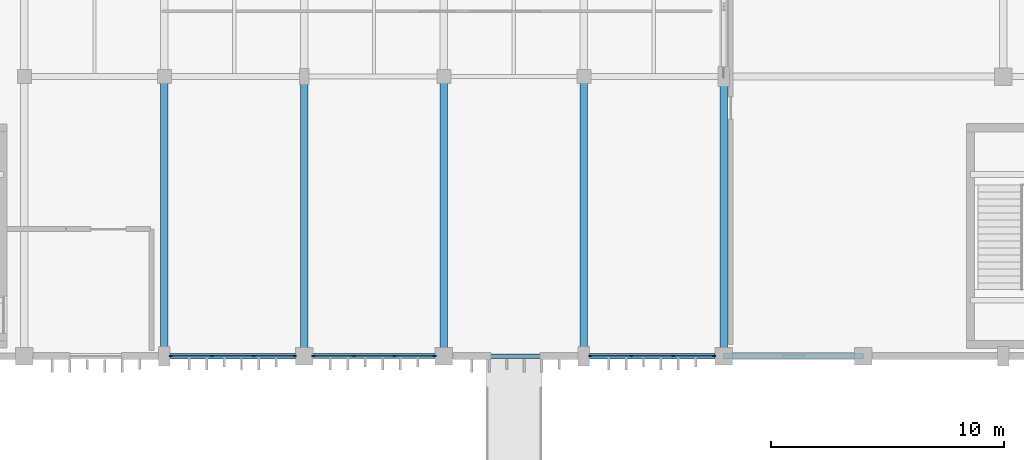
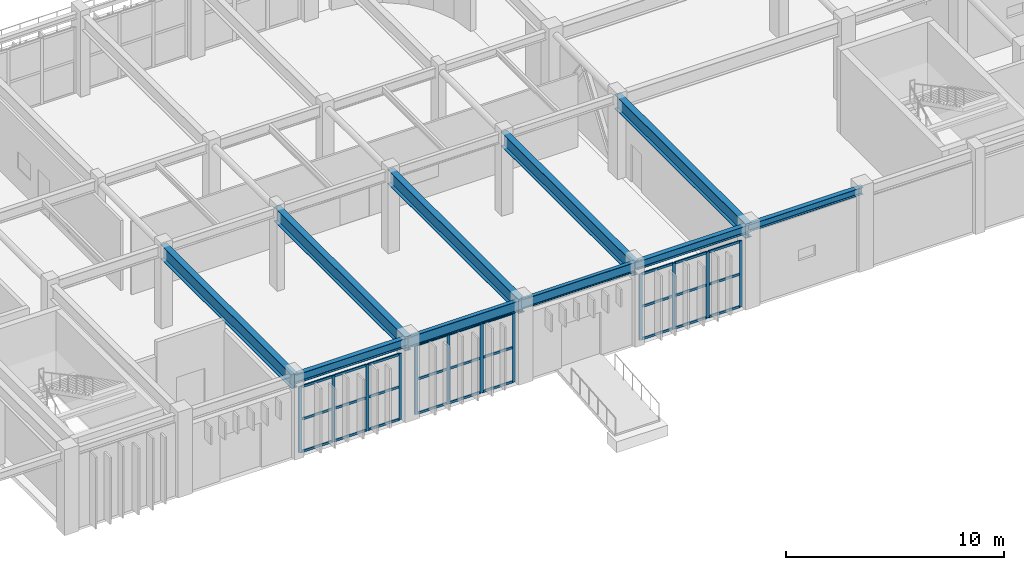
# One storey, part 25 of 76: 39 members, 10 beams, 3 elements without a shape of their own.
"""IFC4 building model written with IfcOpenShell, lengths in metres."""

from ifc_helpers import new_model, si_unit, direction, frame, origin, origin_2d, place, context, subcontext, project, spatial, rectangle, i_section, extrude, material, material_profile, profile_set, type_object, element, aggregate, save


model = new_model("IFC4")

# Units and contexts
model_context = context("Model", 3, precision=1e-05, world=origin(), true_north=direction((0.0, 1.0)))
body_context = subcontext(model_context, "Body", "Model", "MODEL_VIEW")
ifc_project = project(units=[si_unit("LENGTHUNIT", "METRE"), si_unit("AREAUNIT", "SQUARE_METRE"), si_unit("VOLUMEUNIT", "CUBIC_METRE"), si_unit("PLANEANGLEUNIT", "RADIAN"), si_unit("MASSUNIT", "GRAM", prefix="KILO")], contexts=[model_context])

# Site, building, storey
site_placement = place(None, origin())
site = spatial("IfcSite", under=ifc_project, at=site_placement, CompositionType="ELEMENT")
building_placement = place(site_placement, origin())
building = spatial("IfcBuilding", under=site, at=building_placement, Name="Varnakota Square Police Headquarters", CompositionType="ELEMENT")
storey_placement = place(building_placement, origin())
storey = spatial("IfcBuildingStorey", under=building, at=storey_placement, Name="L00", CompositionType="ELEMENT", Elevation=0.0)

# Beams
ifc_material_1 = material(Name="Steel IS 2062 Grade 350", Category="steel")
ifc_material_profile_1 = material_profile(ifc_material_1, i_section(OverallWidth=0.320068359375, OverallDepth=0.800048828125, WebThickness=0.01611328125, FlangeThickness=0.028076171875, at=origin_2d()), Name="BPG 800x320")
ifc_profile_set_1 = profile_set([ifc_material_profile_1], Name="Steel IS 2062 Grade 350")
beam_type_1 = type_object("IfcBeamType", Name="BM-BPG800", PredefinedType="BEAM", material=ifc_profile_set_1)
for number, where, z_axis, x_axis, name in (
    (1, (72.0, 69.0, 4.10009765625), (0.0, 1.0, 0.0), (-1.0, 0.0, 0.0), "BMG-L00-1052"),
    (2, (78.0, 69.0, 4.10009765625), (0.0, 1.0, 0.0), (-1.0, 0.0, 0.0), "BMG-L00-1056"),
    (3, (84.0, 69.0, 4.10009765625), (0.0, 1.0, 0.0), (-1.0, 0.0, 0.0), "BMG-L00-1060"),
    (4, (90.0, 69.0, 4.10009765625), (0.0, 1.0, 0.0), (-1.0, 0.0, 0.0), "BMG-L00-1066"),
    (5, (96.0, 69.0, 4.10009765625), (0.0, 1.0, 0.0), (-1.0, 0.0, 0.0), "BMG-L00-1075"),
):
    element("IfcBeam", number, at=place(storey_placement, frame(where, z_axis=z_axis, x_axis=x_axis)), inside=storey, type_object=beam_type_1, Name=name, PredefinedType="BEAM", context=body_context, shape_type="SweptSolid", body=[
        extrude(i_section(OverallWidth=0.320068359375, OverallDepth=0.800048828125, WebThickness=0.01611328125, FlangeThickness=0.028076171875, at=origin_2d()), origin(), (0.0, 0.0, 1.0), 12.0),
    ])
ifc_material_profile_2 = material_profile(ifc_material_1, i_section(OverallWidth=0.25, OverallDepth=0.39990234375, WebThickness=0.010498046875, FlangeThickness=0.0126953125, FilletRadius=0.013916015625, at=origin_2d()), Name="ISHB 400")
ifc_profile_set_2 = profile_set([ifc_material_profile_2], Name="Steel IS 2062 Grade 350")
beam_type_2 = type_object("IfcBeamType", Name="BM-ISHB400", PredefinedType="BEAM", material=ifc_profile_set_2)
beam_1_placement = place(storey_placement, frame((96.0, 69.0, 4.300048828125), z_axis=(1.0, 0.0, 0.0), x_axis=(0.0, 1.0, 0.0)))
element("IfcBeam", 6, at=beam_1_placement, inside=storey, type_object=beam_type_2, Name="BMG-L00-0829", PredefinedType="BEAM", context=body_context, shape_type="SweptSolid", body=[
    extrude(i_section(OverallWidth=0.25, OverallDepth=0.39990234375, WebThickness=0.010498046875, FlangeThickness=0.0126953125, FilletRadius=0.013916015625, at=origin_2d()), origin(), (0.0, 0.0, 1.0), 6.0),
])
ifc_material_profile_3 = material_profile(ifc_material_1, i_section(OverallWidth=0.25, OverallDepth=0.449951171875, WebThickness=0.01123046875, FlangeThickness=0.013671875, FilletRadius=0.014892578125, at=origin_2d()), Name="ISHB 450")
ifc_profile_set_3 = profile_set([ifc_material_profile_3], Name="Steel IS 2062 Grade 350")
beam_type_3 = type_object("IfcBeamType", Name="BM-ISHB450", PredefinedType="BEAM", material=ifc_profile_set_3)
beam_2_placement = place(storey_placement, frame((90.0, 69.0, 4.27490234375), z_axis=(1.0, 0.0, 0.0), x_axis=(0.0, 1.0, 0.0)))
element("IfcBeam", 7, at=beam_2_placement, inside=storey, type_object=beam_type_3, Name="BMG-L00-0828", PredefinedType="BEAM", context=body_context, shape_type="SweptSolid", body=[
    extrude(i_section(OverallWidth=0.25, OverallDepth=0.449951171875, WebThickness=0.01123046875, FlangeThickness=0.013671875, FilletRadius=0.014892578125, at=origin_2d()), origin(), (0.0, 0.0, 1.0), 6.0),
])
ifc_material_profile_4 = material_profile(ifc_material_1, i_section(OverallWidth=0.18994140625, OverallDepth=0.550048828125, WebThickness=0.01123046875, FlangeThickness=0.019287109375, FilletRadius=0.01806640625, at=origin_2d()), Name="ISMB 550")
ifc_profile_set_4 = profile_set([ifc_material_profile_4], Name="Steel IS 2062 Grade 350")
beam_type_4 = type_object("IfcBeamType", Name="BM-ISMB550", PredefinedType="BEAM", material=ifc_profile_set_4)
beam_3_placement = place(storey_placement, frame((84.0, 69.0, 4.22509765625), z_axis=(1.0, 0.0, 0.0), x_axis=(0.0, 1.0, 0.0)))
element("IfcBeam", 8, at=beam_3_placement, inside=storey, type_object=beam_type_4, Name="BMG-L00-0827", PredefinedType="BEAM", context=body_context, shape_type="SweptSolid", body=[
    extrude(i_section(OverallWidth=0.18994140625, OverallDepth=0.550048828125, WebThickness=0.01123046875, FlangeThickness=0.019287109375, FilletRadius=0.01806640625, at=origin_2d()), origin(), (0.0, 0.0, 1.0), 6.0),
])
ifc_material_profile_5 = material_profile(ifc_material_1, i_section(OverallWidth=0.2099609375, OverallDepth=0.60009765625, WebThickness=0.011962890625, FlangeThickness=0.020751953125, FilletRadius=0.02001953125, at=origin_2d()), Name="ISMB 600")
ifc_profile_set_5 = profile_set([ifc_material_profile_5], Name="Steel IS 2062 Grade 350")
beam_type_5 = type_object("IfcBeamType", Name="BM-ISMB600", PredefinedType="BEAM", material=ifc_profile_set_5)
beam_4_placement = place(storey_placement, frame((78.0, 69.0, 4.199951171875), z_axis=(1.0, 0.0, 0.0), x_axis=(0.0, 1.0, 0.0)))
element("IfcBeam", 9, at=beam_4_placement, inside=storey, type_object=beam_type_5, Name="BMG-L00-0826", PredefinedType="BEAM", context=body_context, shape_type="SweptSolid", body=[
    extrude(i_section(OverallWidth=0.2099609375, OverallDepth=0.60009765625, WebThickness=0.011962890625, FlangeThickness=0.020751953125, FilletRadius=0.02001953125, at=origin_2d()), origin(), (0.0, 0.0, 1.0), 6.0),
])
ifc_material_profile_6 = material_profile(ifc_material_1, i_section(OverallWidth=0.25, OverallDepth=0.5, WebThickness=0.010009765625, FlangeThickness=0.0146484375, FilletRadius=0.014892578125, at=origin_2d()), Name="ISWB 500")
ifc_profile_set_6 = profile_set([ifc_material_profile_6], Name="Steel IS 2062 Grade 350")
beam_type_6 = type_object("IfcBeamType", Name="BM-ISWB500", PredefinedType="BEAM", material=ifc_profile_set_6)
beam_5_placement = place(storey_placement, frame((72.0, 69.0, 4.25), z_axis=(1.0, 0.0, 0.0), x_axis=(0.0, 1.0, 0.0)))
element("IfcBeam", 10, at=beam_5_placement, inside=storey, type_object=beam_type_6, Name="BMG-L00-0825", PredefinedType="BEAM", context=body_context, shape_type="SweptSolid", body=[
    extrude(i_section(OverallWidth=0.25, OverallDepth=0.5, WebThickness=0.010009765625, FlangeThickness=0.0146484375, FilletRadius=0.014892578125, at=origin_2d()), origin(), (0.0, 0.0, 1.0), 6.0),
])

# Curtain wall, members
ifc_material_2 = material(Name="Anodised Aluminium Framing", Category="aluminium")
curtain_wall_type = type_object("IfcCurtainWallType", Name="CW-SYS-B", PredefinedType="NOTDEFINED", material=ifc_material_2)
curtain_wall_1_placement = place(storey_placement, origin())
curtain_wall_1 = element("IfcCurtainWall", 11, at=curtain_wall_1_placement, inside=storey, type_object=curtain_wall_type, Name="Unitised curtain wall CWG-L00-220", PredefinedType="NOTDEFINED")
ifc_material_3 = material(Name="Anodised Aluminium 6063-T6", Category="aluminium")
ifc_material_profile_7 = material_profile(ifc_material_3, rectangle(XDim=0.06494140625, YDim=0.159912109375, at=origin_2d()), Name="ALU MULLION 65x160")
ifc_profile_set_7 = profile_set([ifc_material_profile_7], Name="Anodised Aluminium 6063-T6")
member_type_1 = type_object("IfcMemberType", Name="CWM-150", PredefinedType="MULLION", material=ifc_profile_set_7)
member_1_placement = place(storey_placement, frame((72.28759765625, 69.0, 0.0), z_axis=(0.0, 0.0, 1.0), x_axis=(0.0, 1.0, 0.0)))
member_1 = element("IfcMember", 12, at=member_1_placement, type_object=member_type_1, Name="CWG-L00-220 mullion 1", PredefinedType="MULLION", context=body_context, shape_type="SweptSolid", body=[
    extrude(rectangle(XDim=0.06494140625, YDim=0.159912109375, at=origin_2d()), origin(), (0.0, 0.0, 1.0), 3.68994140625),
])
member_2_placement = place(storey_placement, frame((74.043212890625, 69.0, 0.0), z_axis=(0.0, 0.0, 1.0), x_axis=(0.0, 1.0, 0.0)))
member_2 = element("IfcMember", 13, at=member_2_placement, type_object=member_type_1, Name="CWG-L00-220 mullion 2", PredefinedType="MULLION", context=body_context, shape_type="SweptSolid", body=[
    extrude(rectangle(XDim=0.06494140625, YDim=0.159912109375, at=origin_2d()), origin(), (0.0, 0.0, 1.0), 3.68994140625),
])
member_3_placement = place(storey_placement, frame((75.831787109375, 69.0, 0.0), z_axis=(0.0, 0.0, 1.0), x_axis=(0.0, 1.0, 0.0)))
member_3 = element("IfcMember", 14, at=member_3_placement, type_object=member_type_1, Name="CWG-L00-220 mullion 3", PredefinedType="MULLION", context=body_context, shape_type="SweptSolid", body=[
    extrude(rectangle(XDim=0.06494140625, YDim=0.159912109375, at=origin_2d()), origin(), (0.0, 0.0, 1.0), 3.68994140625),
])
member_4_placement = place(storey_placement, frame((77.58740234375, 69.0, 0.0), z_axis=(0.0, 0.0, 1.0), x_axis=(0.0, 1.0, 0.0)))
member_4 = element("IfcMember", 15, at=member_4_placement, type_object=member_type_1, Name="CWG-L00-220 mullion 4", PredefinedType="MULLION", context=body_context, shape_type="SweptSolid", body=[
    extrude(rectangle(XDim=0.06494140625, YDim=0.159912109375, at=origin_2d()), origin(), (0.0, 0.0, 1.0), 3.68994140625),
])

curtain_wall_2_placement = place(storey_placement, origin())
curtain_wall_2 = element("IfcCurtainWall", 16, at=curtain_wall_2_placement, inside=storey, type_object=curtain_wall_type, Name="Unitised curtain wall CWG-L00-221", PredefinedType="NOTDEFINED")
member_5_placement = place(storey_placement, frame((78.41259765625, 69.0, 0.0), z_axis=(0.0, 0.0, 1.0), x_axis=(0.0, 1.0, 0.0)))
member_5 = element("IfcMember", 17, at=member_5_placement, type_object=member_type_1, Name="CWG-L00-221 mullion 1", PredefinedType="MULLION", context=body_context, shape_type="SweptSolid", body=[
    extrude(rectangle(XDim=0.06494140625, YDim=0.159912109375, at=origin_2d()), origin(), (0.0, 0.0, 1.0), 3.889892578125),
])
member_6_placement = place(storey_placement, frame((80.126708984375, 69.0, 0.0), z_axis=(0.0, 0.0, 1.0), x_axis=(0.0, 1.0, 0.0)))
member_6 = element("IfcMember", 18, at=member_6_placement, type_object=member_type_1, Name="CWG-L00-221 mullion 2", PredefinedType="MULLION", context=body_context, shape_type="SweptSolid", body=[
    extrude(rectangle(XDim=0.06494140625, YDim=0.159912109375, at=origin_2d()), origin(), (0.0, 0.0, 1.0), 3.889892578125),
])
member_7_placement = place(storey_placement, frame((81.873291015625, 69.0, 0.0), z_axis=(0.0, 0.0, 1.0), x_axis=(0.0, 1.0, 0.0)))
member_7 = element("IfcMember", 19, at=member_7_placement, type_object=member_type_1, Name="CWG-L00-221 mullion 3", PredefinedType="MULLION", context=body_context, shape_type="SweptSolid", body=[
    extrude(rectangle(XDim=0.06494140625, YDim=0.159912109375, at=origin_2d()), origin(), (0.0, 0.0, 1.0), 3.889892578125),
])
member_8_placement = place(storey_placement, frame((83.58740234375, 69.0, 0.0), z_axis=(0.0, 0.0, 1.0), x_axis=(0.0, 1.0, 0.0)))
member_8 = element("IfcMember", 20, at=member_8_placement, type_object=member_type_1, Name="CWG-L00-221 mullion 4", PredefinedType="MULLION", context=body_context, shape_type="SweptSolid", body=[
    extrude(rectangle(XDim=0.06494140625, YDim=0.159912109375, at=origin_2d()), origin(), (0.0, 0.0, 1.0), 3.889892578125),
])

curtain_wall_3_placement = place(storey_placement, origin())
curtain_wall_3 = element("IfcCurtainWall", 21, at=curtain_wall_3_placement, inside=storey, type_object=curtain_wall_type, Name="Unitised curtain wall CWG-L00-222", PredefinedType="NOTDEFINED")
member_9_placement = place(storey_placement, frame((90.28759765625, 69.0, 0.0), z_axis=(0.0, 0.0, 1.0), x_axis=(0.0, 1.0, 0.0)))
member_9 = element("IfcMember", 22, at=member_9_placement, type_object=member_type_1, Name="CWG-L00-222 mullion 1", PredefinedType="MULLION", context=body_context, shape_type="SweptSolid", body=[
    extrude(rectangle(XDim=0.06494140625, YDim=0.159912109375, at=origin_2d()), origin(), (0.0, 0.0, 1.0), 3.68994140625),
])
member_10_placement = place(storey_placement, frame((92.043212890625, 69.0, 0.0), z_axis=(0.0, 0.0, 1.0), x_axis=(0.0, 1.0, 0.0)))
member_10 = element("IfcMember", 23, at=member_10_placement, type_object=member_type_1, Name="CWG-L00-222 mullion 2", PredefinedType="MULLION", context=body_context, shape_type="SweptSolid", body=[
    extrude(rectangle(XDim=0.06494140625, YDim=0.159912109375, at=origin_2d()), origin(), (0.0, 0.0, 1.0), 3.68994140625),
])
member_11_placement = place(storey_placement, frame((93.831787109375, 69.0, 0.0), z_axis=(0.0, 0.0, 1.0), x_axis=(0.0, 1.0, 0.0)))
member_11 = element("IfcMember", 24, at=member_11_placement, type_object=member_type_1, Name="CWG-L00-222 mullion 3", PredefinedType="MULLION", context=body_context, shape_type="SweptSolid", body=[
    extrude(rectangle(XDim=0.06494140625, YDim=0.159912109375, at=origin_2d()), origin(), (0.0, 0.0, 1.0), 3.68994140625),
])
member_12_placement = place(storey_placement, frame((95.58740234375, 69.0, 0.0), z_axis=(0.0, 0.0, 1.0), x_axis=(0.0, 1.0, 0.0)))
member_12 = element("IfcMember", 25, at=member_12_placement, type_object=member_type_1, Name="CWG-L00-222 mullion 4", PredefinedType="MULLION", context=body_context, shape_type="SweptSolid", body=[
    extrude(rectangle(XDim=0.06494140625, YDim=0.159912109375, at=origin_2d()), origin(), (0.0, 0.0, 1.0), 3.68994140625),
])

# Member
ifc_material_profile_8 = material_profile(ifc_material_3, rectangle(XDim=0.06494140625, YDim=0.1298828125, at=origin_2d()), Name="ALU TRANSOM 65x130")
ifc_profile_set_8 = profile_set([ifc_material_profile_8], Name="Anodised Aluminium 6063-T6")
member_type_2 = type_object("IfcMemberType", Name="CWT-120", PredefinedType="USERDEFINED", material=ifc_profile_set_8)
member_13_placement = place(storey_placement, frame((72.320068359375, 69.0, 0.032470703125), z_axis=(1.0, 0.0, 0.0), x_axis=(0.0, 1.0, 0.0)))
member_13 = element("IfcMember", 26, at=member_13_placement, type_object=member_type_2, Name="CWG-L00-220 transom 1.1", ObjectType="TRANSOM", PredefinedType="USERDEFINED", context=body_context, shape_type="SweptSolid", body=[
    extrude(rectangle(XDim=0.06494140625, YDim=0.1298828125, at=origin_2d()), origin(), (0.0, 0.0, 1.0), 1.690673828125),
])

member_14_placement = place(storey_placement, frame((72.320068359375, 69.0, 1.844970703125), z_axis=(1.0, 0.0, 0.0), x_axis=(0.0, 1.0, 0.0)))
member_14 = element("IfcMember", 27, at=member_14_placement, type_object=member_type_2, Name="CWG-L00-220 transom 1.2", ObjectType="TRANSOM", PredefinedType="USERDEFINED", context=body_context, shape_type="SweptSolid", body=[
    extrude(rectangle(XDim=0.06494140625, YDim=0.1298828125, at=origin_2d()), origin(), (0.0, 0.0, 1.0), 1.690673828125),
])

member_15_placement = place(storey_placement, frame((72.320068359375, 69.0, 3.657470703125), z_axis=(1.0, 0.0, 0.0), x_axis=(0.0, 1.0, 0.0)))
member_15 = element("IfcMember", 28, at=member_15_placement, type_object=member_type_2, Name="CWG-L00-220 transom 1.3", ObjectType="TRANSOM", PredefinedType="USERDEFINED", context=body_context, shape_type="SweptSolid", body=[
    extrude(rectangle(XDim=0.06494140625, YDim=0.1298828125, at=origin_2d()), origin(), (0.0, 0.0, 1.0), 1.690673828125),
])

member_16_placement = place(storey_placement, frame((74.075927734375, 69.0, 0.032470703125), z_axis=(1.0, 0.0, 0.0), x_axis=(0.0, 1.0, 0.0)))
member_16 = element("IfcMember", 29, at=member_16_placement, type_object=member_type_2, Name="CWG-L00-220 transom 2.1", ObjectType="TRANSOM", PredefinedType="USERDEFINED", context=body_context, shape_type="SweptSolid", body=[
    extrude(rectangle(XDim=0.06494140625, YDim=0.1298828125, at=origin_2d()), origin(), (0.0, 0.0, 1.0), 1.72314453125),
])

member_17_placement = place(storey_placement, frame((74.075927734375, 69.0, 1.844970703125), z_axis=(1.0, 0.0, 0.0), x_axis=(0.0, 1.0, 0.0)))
member_17 = element("IfcMember", 30, at=member_17_placement, type_object=member_type_2, Name="CWG-L00-220 transom 2.2", ObjectType="TRANSOM", PredefinedType="USERDEFINED", context=body_context, shape_type="SweptSolid", body=[
    extrude(rectangle(XDim=0.06494140625, YDim=0.1298828125, at=origin_2d()), origin(), (0.0, 0.0, 1.0), 1.72314453125),
])

member_18_placement = place(storey_placement, frame((74.075927734375, 69.0, 3.657470703125), z_axis=(1.0, 0.0, 0.0), x_axis=(0.0, 1.0, 0.0)))
member_18 = element("IfcMember", 31, at=member_18_placement, type_object=member_type_2, Name="CWG-L00-220 transom 2.3", ObjectType="TRANSOM", PredefinedType="USERDEFINED", context=body_context, shape_type="SweptSolid", body=[
    extrude(rectangle(XDim=0.06494140625, YDim=0.1298828125, at=origin_2d()), origin(), (0.0, 0.0, 1.0), 1.72314453125),
])

member_19_placement = place(storey_placement, frame((75.8642578125, 69.0, 0.032470703125), z_axis=(1.0, 0.0, 0.0), x_axis=(0.0, 1.0, 0.0)))
member_19 = element("IfcMember", 32, at=member_19_placement, type_object=member_type_2, Name="CWG-L00-220 transom 3.1", ObjectType="TRANSOM", PredefinedType="USERDEFINED", context=body_context, shape_type="SweptSolid", body=[
    extrude(rectangle(XDim=0.06494140625, YDim=0.1298828125, at=origin_2d()), origin(), (0.0, 0.0, 1.0), 1.690673828125),
])

member_20_placement = place(storey_placement, frame((75.8642578125, 69.0, 1.844970703125), z_axis=(1.0, 0.0, 0.0), x_axis=(0.0, 1.0, 0.0)))
member_20 = element("IfcMember", 33, at=member_20_placement, type_object=member_type_2, Name="CWG-L00-220 transom 3.2", ObjectType="TRANSOM", PredefinedType="USERDEFINED", context=body_context, shape_type="SweptSolid", body=[
    extrude(rectangle(XDim=0.06494140625, YDim=0.1298828125, at=origin_2d()), origin(), (0.0, 0.0, 1.0), 1.690673828125),
])

member_21_placement = place(storey_placement, frame((75.8642578125, 69.0, 3.657470703125), z_axis=(1.0, 0.0, 0.0), x_axis=(0.0, 1.0, 0.0)))
member_21 = element("IfcMember", 34, at=member_21_placement, type_object=member_type_2, Name="CWG-L00-220 transom 3.3", ObjectType="TRANSOM", PredefinedType="USERDEFINED", context=body_context, shape_type="SweptSolid", body=[
    extrude(rectangle(XDim=0.06494140625, YDim=0.1298828125, at=origin_2d()), origin(), (0.0, 0.0, 1.0), 1.690673828125),
])

aggregate(curtain_wall_1, [member_1, member_2, member_3, member_4, member_13, member_14, member_15, member_16, member_17, member_18, member_19, member_20, member_21])

member_22_placement = place(storey_placement, frame((78.445068359375, 69.0, 0.032470703125), z_axis=(1.0, 0.0, 0.0), x_axis=(0.0, 1.0, 0.0)))
member_22 = element("IfcMember", 35, at=member_22_placement, type_object=member_type_2, Name="CWG-L00-221 transom 1.1", ObjectType="TRANSOM", PredefinedType="USERDEFINED", context=body_context, shape_type="SweptSolid", body=[
    extrude(rectangle(XDim=0.06494140625, YDim=0.1298828125, at=origin_2d()), origin(), (0.0, 0.0, 1.0), 1.649169921875),
])

member_23_placement = place(storey_placement, frame((78.445068359375, 69.0, 1.945068359375), z_axis=(1.0, 0.0, 0.0), x_axis=(0.0, 1.0, 0.0)))
member_23 = element("IfcMember", 36, at=member_23_placement, type_object=member_type_2, Name="CWG-L00-221 transom 1.2", ObjectType="TRANSOM", PredefinedType="USERDEFINED", context=body_context, shape_type="SweptSolid", body=[
    extrude(rectangle(XDim=0.06494140625, YDim=0.1298828125, at=origin_2d()), origin(), (0.0, 0.0, 1.0), 1.649169921875),
])

member_24_placement = place(storey_placement, frame((78.445068359375, 69.0, 3.857421875), z_axis=(1.0, 0.0, 0.0), x_axis=(0.0, 1.0, 0.0)))
member_24 = element("IfcMember", 37, at=member_24_placement, type_object=member_type_2, Name="CWG-L00-221 transom 1.3", ObjectType="TRANSOM", PredefinedType="USERDEFINED", context=body_context, shape_type="SweptSolid", body=[
    extrude(rectangle(XDim=0.06494140625, YDim=0.1298828125, at=origin_2d()), origin(), (0.0, 0.0, 1.0), 1.649169921875),
])

member_25_placement = place(storey_placement, frame((80.1591796875, 69.0, 0.032470703125), z_axis=(1.0, 0.0, 0.0), x_axis=(0.0, 1.0, 0.0)))
member_25 = element("IfcMember", 38, at=member_25_placement, type_object=member_type_2, Name="CWG-L00-221 transom 2.1", ObjectType="TRANSOM", PredefinedType="USERDEFINED", context=body_context, shape_type="SweptSolid", body=[
    extrude(rectangle(XDim=0.06494140625, YDim=0.1298828125, at=origin_2d()), origin(), (0.0, 0.0, 1.0), 1.681640625),
])

member_26_placement = place(storey_placement, frame((80.1591796875, 69.0, 1.945068359375), z_axis=(1.0, 0.0, 0.0), x_axis=(0.0, 1.0, 0.0)))
member_26 = element("IfcMember", 39, at=member_26_placement, type_object=member_type_2, Name="CWG-L00-221 transom 2.2", ObjectType="TRANSOM", PredefinedType="USERDEFINED", context=body_context, shape_type="SweptSolid", body=[
    extrude(rectangle(XDim=0.06494140625, YDim=0.1298828125, at=origin_2d()), origin(), (0.0, 0.0, 1.0), 1.681640625),
])

member_27_placement = place(storey_placement, frame((80.1591796875, 69.0, 3.857421875), z_axis=(1.0, 0.0, 0.0), x_axis=(0.0, 1.0, 0.0)))
member_27 = element("IfcMember", 40, at=member_27_placement, type_object=member_type_2, Name="CWG-L00-221 transom 2.3", ObjectType="TRANSOM", PredefinedType="USERDEFINED", context=body_context, shape_type="SweptSolid", body=[
    extrude(rectangle(XDim=0.06494140625, YDim=0.1298828125, at=origin_2d()), origin(), (0.0, 0.0, 1.0), 1.681640625),
])

member_28_placement = place(storey_placement, frame((81.90576171875, 69.0, 0.032470703125), z_axis=(1.0, 0.0, 0.0), x_axis=(0.0, 1.0, 0.0)))
member_28 = element("IfcMember", 41, at=member_28_placement, type_object=member_type_2, Name="CWG-L00-221 transom 3.1", ObjectType="TRANSOM", PredefinedType="USERDEFINED", context=body_context, shape_type="SweptSolid", body=[
    extrude(rectangle(XDim=0.06494140625, YDim=0.1298828125, at=origin_2d()), origin(), (0.0, 0.0, 1.0), 1.649169921875),
])

member_29_placement = place(storey_placement, frame((81.90576171875, 69.0, 1.945068359375), z_axis=(1.0, 0.0, 0.0), x_axis=(0.0, 1.0, 0.0)))
member_29 = element("IfcMember", 42, at=member_29_placement, type_object=member_type_2, Name="CWG-L00-221 transom 3.2", ObjectType="TRANSOM", PredefinedType="USERDEFINED", context=body_context, shape_type="SweptSolid", body=[
    extrude(rectangle(XDim=0.06494140625, YDim=0.1298828125, at=origin_2d()), origin(), (0.0, 0.0, 1.0), 1.649169921875),
])

member_30_placement = place(storey_placement, frame((81.90576171875, 69.0, 3.857421875), z_axis=(1.0, 0.0, 0.0), x_axis=(0.0, 1.0, 0.0)))
member_30 = element("IfcMember", 43, at=member_30_placement, type_object=member_type_2, Name="CWG-L00-221 transom 3.3", ObjectType="TRANSOM", PredefinedType="USERDEFINED", context=body_context, shape_type="SweptSolid", body=[
    extrude(rectangle(XDim=0.06494140625, YDim=0.1298828125, at=origin_2d()), origin(), (0.0, 0.0, 1.0), 1.649169921875),
])

aggregate(curtain_wall_2, [member_5, member_6, member_7, member_8, member_22, member_23, member_24, member_25, member_26, member_27, member_28, member_29, member_30])

member_31_placement = place(storey_placement, frame((90.320068359375, 69.0, 0.032470703125), z_axis=(1.0, 0.0, 0.0), x_axis=(0.0, 1.0, 0.0)))
member_31 = element("IfcMember", 44, at=member_31_placement, type_object=member_type_2, Name="CWG-L00-222 transom 1.1", ObjectType="TRANSOM", PredefinedType="USERDEFINED", context=body_context, shape_type="SweptSolid", body=[
    extrude(rectangle(XDim=0.06494140625, YDim=0.1298828125, at=origin_2d()), origin(), (0.0, 0.0, 1.0), 1.690673828125),
])

member_32_placement = place(storey_placement, frame((90.320068359375, 69.0, 1.844970703125), z_axis=(1.0, 0.0, 0.0), x_axis=(0.0, 1.0, 0.0)))
member_32 = element("IfcMember", 45, at=member_32_placement, type_object=member_type_2, Name="CWG-L00-222 transom 1.2", ObjectType="TRANSOM", PredefinedType="USERDEFINED", context=body_context, shape_type="SweptSolid", body=[
    extrude(rectangle(XDim=0.06494140625, YDim=0.1298828125, at=origin_2d()), origin(), (0.0, 0.0, 1.0), 1.690673828125),
])

member_33_placement = place(storey_placement, frame((90.320068359375, 69.0, 3.657470703125), z_axis=(1.0, 0.0, 0.0), x_axis=(0.0, 1.0, 0.0)))
member_33 = element("IfcMember", 46, at=member_33_placement, type_object=member_type_2, Name="CWG-L00-222 transom 1.3", ObjectType="TRANSOM", PredefinedType="USERDEFINED", context=body_context, shape_type="SweptSolid", body=[
    extrude(rectangle(XDim=0.06494140625, YDim=0.1298828125, at=origin_2d()), origin(), (0.0, 0.0, 1.0), 1.690673828125),
])

member_34_placement = place(storey_placement, frame((92.075927734375, 69.0, 0.032470703125), z_axis=(1.0, 0.0, 0.0), x_axis=(0.0, 1.0, 0.0)))
member_34 = element("IfcMember", 47, at=member_34_placement, type_object=member_type_2, Name="CWG-L00-222 transom 2.1", ObjectType="TRANSOM", PredefinedType="USERDEFINED", context=body_context, shape_type="SweptSolid", body=[
    extrude(rectangle(XDim=0.06494140625, YDim=0.1298828125, at=origin_2d()), origin(), (0.0, 0.0, 1.0), 1.72314453125),
])

member_35_placement = place(storey_placement, frame((92.075927734375, 69.0, 1.844970703125), z_axis=(1.0, 0.0, 0.0), x_axis=(0.0, 1.0, 0.0)))
member_35 = element("IfcMember", 48, at=member_35_placement, type_object=member_type_2, Name="CWG-L00-222 transom 2.2", ObjectType="TRANSOM", PredefinedType="USERDEFINED", context=body_context, shape_type="SweptSolid", body=[
    extrude(rectangle(XDim=0.06494140625, YDim=0.1298828125, at=origin_2d()), origin(), (0.0, 0.0, 1.0), 1.72314453125),
])

member_36_placement = place(storey_placement, frame((92.075927734375, 69.0, 3.657470703125), z_axis=(1.0, 0.0, 0.0), x_axis=(0.0, 1.0, 0.0)))
member_36 = element("IfcMember", 49, at=member_36_placement, type_object=member_type_2, Name="CWG-L00-222 transom 2.3", ObjectType="TRANSOM", PredefinedType="USERDEFINED", context=body_context, shape_type="SweptSolid", body=[
    extrude(rectangle(XDim=0.06494140625, YDim=0.1298828125, at=origin_2d()), origin(), (0.0, 0.0, 1.0), 1.72314453125),
])

member_37_placement = place(storey_placement, frame((93.8642578125, 69.0, 0.032470703125), z_axis=(1.0, 0.0, 0.0), x_axis=(0.0, 1.0, 0.0)))
member_37 = element("IfcMember", 50, at=member_37_placement, type_object=member_type_2, Name="CWG-L00-222 transom 3.1", ObjectType="TRANSOM", PredefinedType="USERDEFINED", context=body_context, shape_type="SweptSolid", body=[
    extrude(rectangle(XDim=0.06494140625, YDim=0.1298828125, at=origin_2d()), origin(), (0.0, 0.0, 1.0), 1.690673828125),
])

member_38_placement = place(storey_placement, frame((93.8642578125, 69.0, 1.844970703125), z_axis=(1.0, 0.0, 0.0), x_axis=(0.0, 1.0, 0.0)))
member_38 = element("IfcMember", 51, at=member_38_placement, type_object=member_type_2, Name="CWG-L00-222 transom 3.2", ObjectType="TRANSOM", PredefinedType="USERDEFINED", context=body_context, shape_type="SweptSolid", body=[
    extrude(rectangle(XDim=0.06494140625, YDim=0.1298828125, at=origin_2d()), origin(), (0.0, 0.0, 1.0), 1.690673828125),
])

member_39_placement = place(storey_placement, frame((93.8642578125, 69.0, 3.657470703125), z_axis=(1.0, 0.0, 0.0), x_axis=(0.0, 1.0, 0.0)))
member_39 = element("IfcMember", 52, at=member_39_placement, type_object=member_type_2, Name="CWG-L00-222 transom 3.3", ObjectType="TRANSOM", PredefinedType="USERDEFINED", context=body_context, shape_type="SweptSolid", body=[
    extrude(rectangle(XDim=0.06494140625, YDim=0.1298828125, at=origin_2d()), origin(), (0.0, 0.0, 1.0), 1.690673828125),
])

aggregate(curtain_wall_3, [member_9, member_10, member_11, member_12, member_31, member_32, member_33, member_34, member_35, member_36, member_37, member_38, member_39])

save(model, "model.ifc")
